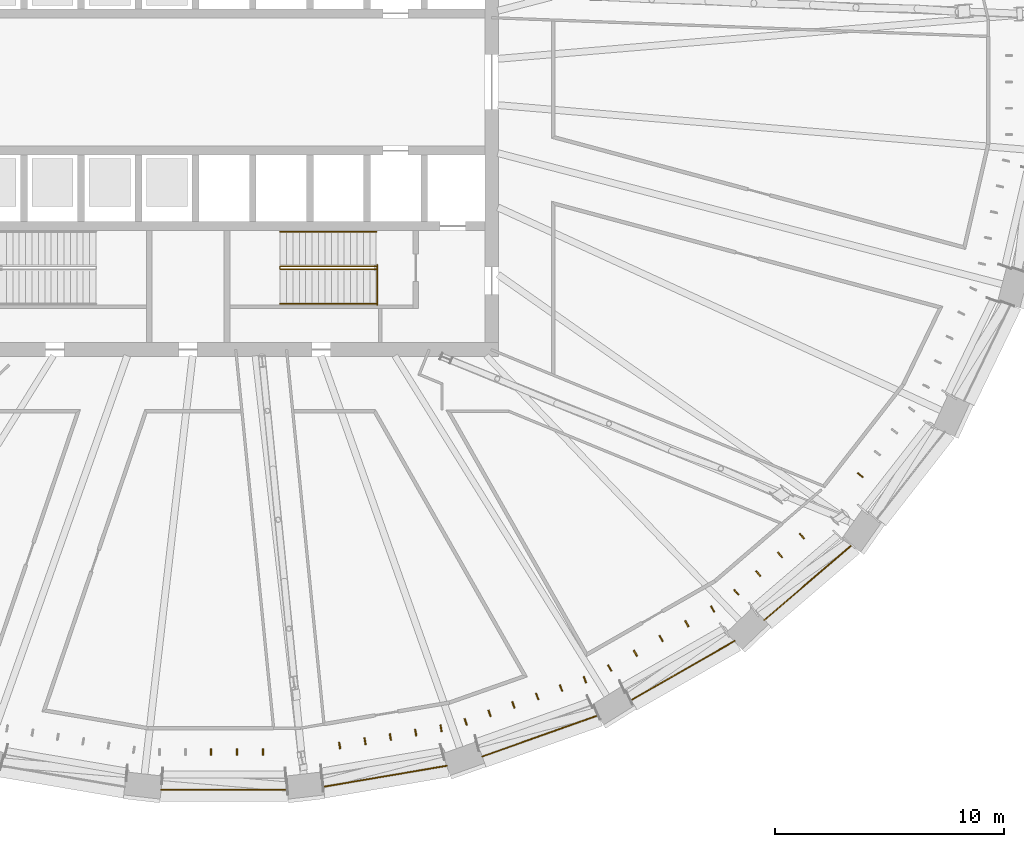
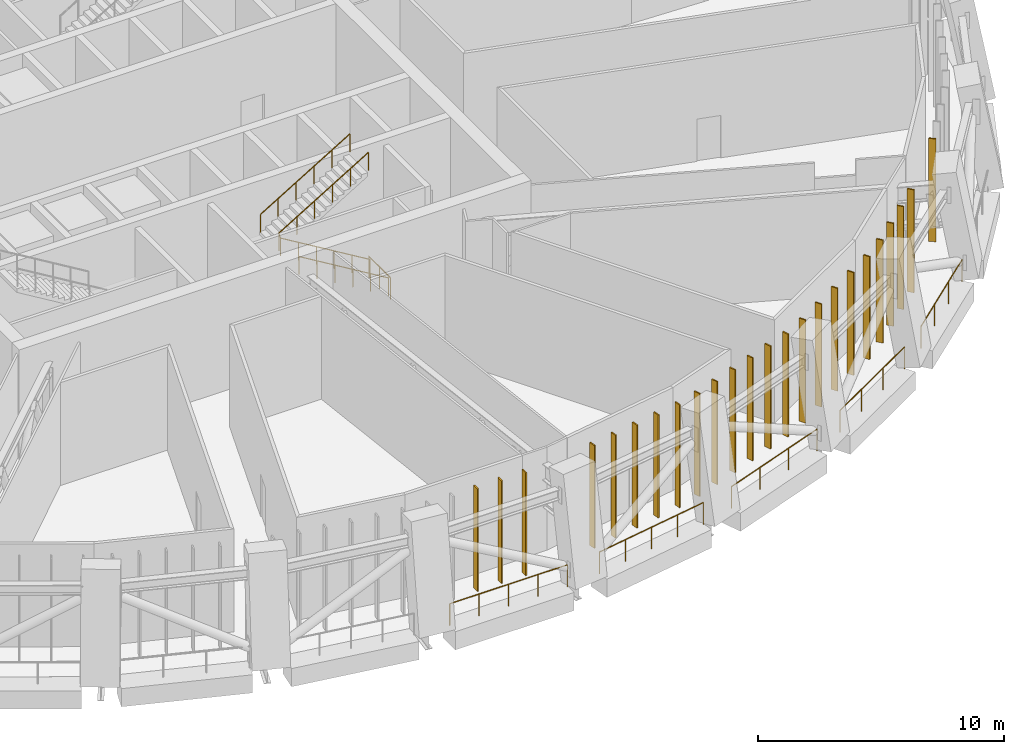
# One storey, part 18 of 22: 24 shading devices, 9 railings.
"""IFC4 building model written with IfcOpenShell, lengths in metres."""

import ifcopenshell
import ifcopenshell.guid

model = None  # the IFC model being written
_history = None  # IfcOwnerHistory: only IFC2X3 demands one
_inside = {}  # id of a spatial element -> (the spatial element, [elements in it])
_under = {}  # id of a project, library or spatial element -> (it, [spatial elements below it])
_declared = {}  # id of a project -> (the project, [libraries it declares])
_typed = {}  # id of a type object -> (the type object, [elements of that type])
_made_of = {}  # id of a material, layer set ... -> (it, [elements and type objects made of it])


def new_model(schema):
    """Start an empty IFC model of exactly this schema.

    Asked for "IFC4X3", IfcOpenShell would pick the latest addendum, in which some entities
    have other attributes; the version numbers below select the first issue.
    IFC2X3 requires an IfcOwnerHistory on every rooted entity: one is made here for all.
    """
    global model, _history
    if schema == "IFC4X3":
        model = ifcopenshell.file(schema_version=(4, 3, 0, 0))
    else:
        model = ifcopenshell.file(schema=schema)
    _inside.clear()
    _under.clear()
    _declared.clear()
    _typed.clear()
    _made_of.clear()
    _history = None
    if model.schema == "IFC2X3":
        org = make("IfcOrganization", Name="unknown")
        user = make(
            "IfcPersonAndOrganization",
            ThePerson=make("IfcPerson", FamilyName="unknown"),
            TheOrganization=org,
        )
        app = make(
            "IfcApplication",
            ApplicationDeveloper=org,
            Version="unknown",
            ApplicationFullName="unknown",
            ApplicationIdentifier="unknown",
        )
        _history = make(
            "IfcOwnerHistory",
            OwningUser=user,
            OwningApplication=app,
            ChangeAction="ADDED",
            CreationDate=0,
        )
    return model


def make(cls, **values):
    """One entity of the class cls with the attributes given. An attribute that is None is left unset."""
    return model.create_entity(
        cls, **{name: value for name, value in values.items() if value is not None}
    )


def rooted(cls, **values):
    """An entity with a GlobalId (a new one), such as an element, a storey or a relation."""
    return make(cls, GlobalId=ifcopenshell.guid.new(), OwnerHistory=_history, **values)


def si_unit(unit_type, name, prefix=None):
    """IfcSIUnit, for example si_unit("LENGTHUNIT", "METRE", prefix="MILLI")."""
    return make("IfcSIUnit", UnitType=unit_type, Prefix=prefix, Name=name)


def assignment(units):
    """IfcUnitAssignment: the units of a project."""
    return None if units is None else make("IfcUnitAssignment", Units=units)


def point(xyz):
    """IfcCartesianPoint."""
    return None if xyz is None else make("IfcCartesianPoint", Coordinates=xyz)


def direction(xyz):
    """IfcDirection."""
    return None if xyz is None else make("IfcDirection", DirectionRatios=xyz)


def frame(location, z_axis=None, x_axis=None):
    """IfcAxis2Placement3D, a coordinate frame: its origin and axes. An axis left out is left unset."""
    return make(
        "IfcAxis2Placement3D",
        Location=point(location),
        Axis=direction(z_axis),
        RefDirection=direction(x_axis),
    )


def frame_2d(location, x_axis=None):
    """IfcAxis2Placement2D, a coordinate frame in the plane: its origin and x axis."""
    return make(
        "IfcAxis2Placement2D", Location=point(location), RefDirection=direction(x_axis)
    )


def origin():
    """The frame at (0, 0, 0) with its axes left unset."""
    return frame((0.0, 0.0, 0.0))


def origin_2d():
    """The frame at (0, 0) in the plane with its x axis left unset."""
    return frame_2d((0.0, 0.0))


def place(relative_to, where):
    """IfcLocalPlacement: puts the frame where relative to a parent placement (None: the world)."""
    return make(
        "IfcLocalPlacement", PlacementRelTo=relative_to, RelativePlacement=where
    )


def context(
    kind, dimensions, precision=None, world=None, true_north=None, identifier=None
):
    """IfcGeometricRepresentationContext, for example the 3D "Model" context."""
    return make(
        "IfcGeometricRepresentationContext",
        ContextIdentifier=identifier,
        ContextType=kind,
        CoordinateSpaceDimension=dimensions,
        Precision=precision,
        WorldCoordinateSystem=world,
        TrueNorth=true_north,
    )


def subcontext(parent, identifier, kind, view, scale=None):
    """IfcGeometricRepresentationSubContext, for example "Body" below "Model"."""
    return make(
        "IfcGeometricRepresentationSubContext",
        ContextIdentifier=identifier,
        ContextType=kind,
        ParentContext=parent,
        TargetScale=scale,
        TargetView=view,
    )


def project(units=None, contexts=None):
    """IfcProject with its units and contexts."""
    return rooted(
        "IfcProject",
        Name="project",
        RepresentationContexts=contexts,
        UnitsInContext=assignment(units),
    )


def spatial(cls, under=None, at=None, **own):
    """A site, building, storey or space (cls), placed at a placement, below another one or the project."""
    s = rooted(cls, ObjectPlacement=at, **own)
    if under is not None:
        _under.setdefault(under.id(), (under, []))[1].append(s)
    return s


def profile(cls, at=None, kind="AREA", **sizes):
    """A parametric profile (cls). Its sizes go by their IFC names, for example OverallWidth=200.0."""
    return make(cls, ProfileType=kind, Position=at, **sizes)


def rectangle(**sizes):
    """IfcRectangleProfileDef."""
    return profile("IfcRectangleProfileDef", **sizes)


def circle(**sizes):
    """IfcCircleProfileDef."""
    return profile("IfcCircleProfileDef", **sizes)


def extrude(swept, where, along, depth):
    """IfcExtrudedAreaSolid: the profile swept, set in the frame where, extruded along a direction by depth."""
    return make(
        "IfcExtrudedAreaSolid",
        SweptArea=swept,
        Position=where,
        ExtrudedDirection=direction(along),
        Depth=depth,
    )


def shape(context_of_items, identifier, shape_type, items):
    """IfcShapeRepresentation: the items that make up one representation, for example the "Body"."""
    return make(
        "IfcShapeRepresentation",
        ContextOfItems=context_of_items,
        RepresentationIdentifier=identifier,
        RepresentationType=shape_type,
        Items=items,
    )


def material(Name=None, Category=None):
    """IfcMaterial."""
    return make("IfcMaterial", Name=Name, Category=Category)


def material_profile(
    of_material, cross_section, Name=None, Category=None, Priority=None
):
    """IfcMaterialProfile: a cross section and its material."""
    return make(
        "IfcMaterialProfile",
        Name=Name,
        Material=of_material,
        Profile=cross_section,
        Priority=Priority,
        Category=Category,
    )


def profile_set(profiles, Name=None, composite=None):
    """IfcMaterialProfileSet."""
    return make(
        "IfcMaterialProfileSet",
        Name=Name,
        MaterialProfiles=profiles,
        CompositeProfile=composite,
    )


def made_of(thing, what):
    """Note that an element or type object is made of a material, layer set ...; save() writes the relation."""
    if what is not None:
        _made_of.setdefault(what.id(), (what, []))[1].append(thing)
    return thing


def type_object(cls, material=None, **own):
    """A type object (cls), such as IfcWallType, which elements share."""
    return made_of(rooted(cls, **own), material)


def element(
    cls,
    number,
    at=None,
    inside=None,
    cuts=None,
    type_object=None,
    material=None,
    context=None,
    identifier="Body",
    shape_type=None,
    held_by="IfcProductDefinitionShape",
    body=None,
    shapes=None,
    **own,
):
    """One element of the class cls, such as IfcWall. Its Tag is "e" and its number.

    at: its placement. inside: the storey or other place that contains it. cuts: it is an
    opening in that element (IfcRelVoidsElement). A single representation is given by context,
    identifier, shape_type and body (its items); several are given by shapes. held_by: the class
    of the entity that holds the representations. save() writes the other relations.
    """
    e = rooted(cls, Tag="e%d" % number, ObjectPlacement=at, **own)
    if body is not None:
        shapes = [shape(context, identifier, shape_type, body)]
    if shapes is not None:
        e.Representation = make(held_by, Representations=shapes)
    if inside is not None:
        _inside.setdefault(inside.id(), (inside, []))[1].append(e)
    if cuts is not None:
        rooted(
            "IfcRelVoidsElement", RelatingBuildingElement=cuts, RelatedOpeningElement=e
        )
    if type_object is not None:
        _typed.setdefault(type_object.id(), (type_object, []))[1].append(e)
    return made_of(e, material)


def aggregate(whole, parts):
    """IfcRelAggregates: a whole, such as a stair, and the parts it consists of."""
    return rooted("IfcRelAggregates", RelatingObject=whole, RelatedObjects=parts)


def save(model, path):
    """Write the relations noted so far, then the file.

    IfcRelAggregates (storeys below a building ...), IfcRelContainedInSpatialStructure (elements
    in a storey), IfcRelDefinesByType, IfcRelAssociatesMaterial and IfcRelDeclares: one each for
    every whole, place, type object, material and project.
    """
    for whole, parts in _under.values():
        aggregate(whole, parts)
    for where, things in _inside.values():
        rooted(
            "IfcRelContainedInSpatialStructure",
            RelatedElements=things,
            RelatingStructure=where,
        )
    for kind, things in _typed.values():
        rooted("IfcRelDefinesByType", RelatedObjects=things, RelatingType=kind)
    for what, things in _made_of.values():
        rooted("IfcRelAssociatesMaterial", RelatedObjects=things, RelatingMaterial=what)
    for by, libraries in _declared.values():
        rooted("IfcRelDeclares", RelatingContext=by, RelatedDefinitions=libraries)
    model.write(path)


model = new_model("IFC4")

# Units and contexts
model_context = context("Model", 3, precision=1e-05, world=origin(), true_north=direction((0.0, 1.0)))
body_context = subcontext(model_context, "Body", "Model", "MODEL_VIEW")
ifc_project = project(units=[si_unit("LENGTHUNIT", "METRE"), si_unit("AREAUNIT", "SQUARE_METRE"), si_unit("VOLUMEUNIT", "CUBIC_METRE"), si_unit("PLANEANGLEUNIT", "RADIAN"), si_unit("MASSUNIT", "GRAM", prefix="KILO")], contexts=[model_context])

# Site, building, storey
site_placement = place(None, origin())
site = spatial("IfcSite", under=ifc_project, at=site_placement, CompositionType="ELEMENT")
building_placement = place(site_placement, origin())
building = spatial("IfcBuilding", under=site, at=building_placement, Name="Halqa Exchange Tower", CompositionType="ELEMENT")
storey_placement = place(building_placement, frame((0.0, 0.0, 99.10009765625)))
storey = spatial("IfcBuildingStorey", under=building, at=storey_placement, Name="L22", CompositionType="ELEMENT", Elevation=99.10009765625)

# Shading devices
ifc_material_1 = material(Name="Anodised aluminium", Category="aluminium")
ifc_material_profile = material_profile(ifc_material_1, rectangle(XDim=0.300048828125, YDim=0.06005859375, at=origin_2d()), Name="AL FIN 300x60")
ifc_profile_set = profile_set([ifc_material_profile], Name="Anodised aluminium")
shading_device_type = type_object("IfcShadingDeviceType", Name="Aluminium louvre FIN 300 x 60", PredefinedType="USERDEFINED", material=ifc_profile_set)
for number, where, z_axis, x_axis, name in (
    (1, (-0.565185546875, -29.302490234375, 0.0), (0.0, 0.0, 1.0), (0.0, 1.0, 0.0), "Louvre FIN 24.3"),
    (2, (0.565185546875, -29.302490234375, 0.0), (0.0, 0.0, 1.0), (0.0, 1.0, 0.0), "Louvre FIN 24.4"),
    (3, (1.695556640625, -29.302490234375, 0.0), (0.0, 0.0, 1.0), (0.0, 1.0, 0.0), "Louvre FIN 24.5"),
    (4, (5.0537109375, -29.018798828125, 0.0), (0.0, 0.0, 1.0), (-0.168067871785, 0.985775425984, 0.0), "Louvre FIN 25.2"),
    (5, (6.162109375, -28.830078125, 0.0), (0.0, 0.0, 1.0), (-0.168067871785, 0.985775425984, 0.0), "Louvre FIN 25.3"),
    (6, (7.2705078125, -28.64111328125, 0.0), (0.0, 0.0, 1.0), (-0.168067871785, 0.985775425984, 0.0), "Louvre FIN 25.4"),
    (7, (8.37890625, -28.451904296875, 0.0), (0.0, 0.0, 1.0), (-0.168067871785, 0.985775425984, 0.0), "Louvre FIN 25.5"),
    (8, (9.4873046875, -28.26318359375, 0.0), (0.0, 0.0, 1.0), (-0.168067871785, 0.985775425984, 0.0), "Louvre FIN 25.6"),
    (9, (10.56298828125, -27.9833984375, 0.0), (0.0, 0.0, 1.0), (-0.334578355387, 0.94236793457, 0.0), "Louvre FIN 26.1"),
    (10, (11.606201171875, -27.613037109375, 0.0), (0.0, 0.0, 1.0), (-0.334578355387, 0.94236793457, 0.0), "Louvre FIN 26.2"),
    (11, (12.649169921875, -27.24267578125, 0.0), (0.0, 0.0, 1.0), (-0.334578355387, 0.94236793457, 0.0), "Louvre FIN 26.3"),
    (12, (13.6923828125, -26.872314453125, 0.0), (0.0, 0.0, 1.0), (-0.334578355387, 0.94236793457, 0.0), "Louvre FIN 26.4"),
    (13, (14.7353515625, -26.501953125, 0.0), (0.0, 0.0, 1.0), (-0.334578355387, 0.94236793457, 0.0), "Louvre FIN 26.5"),
    (14, (15.778564453125, -26.131591796875, 0.0), (0.0, 0.0, 1.0), (-0.334578355387, 0.94236793457, 0.0), "Louvre FIN 26.6"),
    (15, (16.862548828125, -25.62451171875, 0.0), (0.0, 0.0, 1.0), (-0.496984562745, 0.867759381622, 0.0), "Louvre FIN 27.1"),
    (16, (17.9873046875, -24.980224609375, 0.0), (0.0, 0.0, 1.0), (-0.496984562745, 0.867759381622, 0.0), "Louvre FIN 27.2"),
    (17, (19.112060546875, -24.3359375, 0.0), (0.0, 0.0, 1.0), (-0.496984562745, 0.867759381622, 0.0), "Louvre FIN 27.3"),
    (18, (20.237060546875, -23.69189453125, 0.0), (0.0, 0.0, 1.0), (-0.496984562745, 0.867759381622, 0.0), "Louvre FIN 27.4"),
    (19, (21.36181640625, -23.047607421875, 0.0), (0.0, 0.0, 1.0), (-0.496984562745, 0.867759381622, 0.0), "Louvre FIN 27.5"),
    (20, (22.401611328125, -22.31640625, 0.0), (0.0, 0.0, 1.0), (-0.65078481863, 0.759262220739, 0.0), "Louvre FIN 28.1"),
    (21, (23.356201171875, -21.498046875, 0.0), (0.0, 0.0, 1.0), (-0.65078481863, 0.759262220739, 0.0), "Louvre FIN 28.2"),
    (22, (24.310791015625, -20.6796875, 0.0), (0.0, 0.0, 1.0), (-0.65078481863, 0.759262220739, 0.0), "Louvre FIN 28.3"),
    (23, (25.265625, -19.861572265625, 0.0), (0.0, 0.0, 1.0), (-0.65078481863, 0.759262220739, 0.0), "Louvre FIN 28.4"),
    (24, (27.820068359375, -17.194091796875, 0.0), (0.0, 0.0, 1.0), (-0.788675428901, 0.614809781841, 0.0), "Louvre FIN 29.2"),
):
    element("IfcShadingDevice", number, at=place(storey_placement, frame(where, z_axis=z_axis, x_axis=x_axis)), inside=storey, type_object=shading_device_type, Name=name, ObjectType="FIN", PredefinedType="USERDEFINED", context=body_context, shape_type="SweptSolid", body=[
        extrude(rectangle(XDim=0.300048828125, YDim=0.06005859375, at=origin_2d()), origin(), (0.0, 0.0, 1.0), 5.099853515625),
    ])

# Railings
ifc_material_2 = material(Name="Stainless steel", Category="steel")
railing_type_1 = type_object("IfcRailingType", Name="Guard 1100 stainless steel", PredefinedType="GUARDRAIL", material=ifc_material_2)
railing_1_placement = place(storey_placement, frame((-2.757080078125, -30.95556640625, 0.0)))
element("IfcRailing", 25, at=railing_1_placement, inside=storey, type_object=railing_type_1, Name="Band edge guard 24", PredefinedType="GUARDRAIL", context=body_context, shape_type="SweptSolid", body=[
    extrude(circle(Radius=0.02392578125, at=origin_2d()), frame((0.0, 0.0, 1.076171875), z_axis=(1.0, 0.0, 0.0), x_axis=(0.0, 1.0, 0.0)), (0.0, 0.0, 1.0), 5.51416015625),
    extrude(circle(Radius=0.02099609375, at=origin_2d()), origin(), (0.0, 0.0, 1.0), 1.052001953125),
    extrude(circle(Radius=0.02099609375, at=origin_2d()), frame((1.37841796875, 0.0, 0.0)), (0.0, 0.0, 1.0), 1.052001953125),
    extrude(circle(Radius=0.02099609375, at=origin_2d()), frame((2.757080078125, 0.0, 0.0)), (0.0, 0.0, 1.0), 1.052001953125),
    extrude(circle(Radius=0.02099609375, at=origin_2d()), frame((4.1357421875, 0.0, 0.0)), (0.0, 0.0, 1.0), 1.052001953125),
    extrude(circle(Radius=0.02099609375, at=origin_2d()), frame((5.51416015625, 0.0, 0.0)), (0.0, 0.0, 1.0), 1.052001953125),
])
railing_2_placement = place(storey_placement, frame((4.345703125, -30.821044921875, 0.0)))
element("IfcRailing", 26, at=railing_2_placement, inside=storey, type_object=railing_type_1, Name="Band edge guard 25", PredefinedType="GUARDRAIL", context=body_context, shape_type="SweptSolid", body=[
    extrude(circle(Radius=0.02392578125, at=origin_2d()), frame((0.0, 0.0, 1.076171875), z_axis=(0.985775171727, 0.168069363079, 0.0), x_axis=(-0.168069363079, 0.985775171727, 0.0)), (0.0, 0.0, 1.0), 5.477783203125),
    extrude(circle(Radius=0.02099609375, at=origin_2d()), origin(), (0.0, 0.0, 1.0), 1.052001953125),
    extrude(circle(Radius=0.02099609375, at=origin_2d()), frame((1.35009765625, 0.230224609375, 0.0)), (0.0, 0.0, 1.0), 1.052001953125),
    extrude(circle(Radius=0.02099609375, at=origin_2d()), frame((2.699951171875, 0.46044921875, 0.0)), (0.0, 0.0, 1.0), 1.052001953125),
    extrude(circle(Radius=0.02099609375, at=origin_2d()), frame((4.0498046875, 0.6904296875, 0.0)), (0.0, 0.0, 1.0), 1.052001953125),
    extrude(circle(Radius=0.02099609375, at=origin_2d()), frame((5.39990234375, 0.920654296875, 0.0)), (0.0, 0.0, 1.0), 1.052001953125),
])
railing_3_placement = place(storey_placement, frame((11.2880859375, -29.498291015625, 0.0)))
element("IfcRailing", 27, at=railing_3_placement, inside=storey, type_object=railing_type_1, Name="Band edge guard 26", PredefinedType="GUARDRAIL", context=body_context, shape_type="SweptSolid", body=[
    extrude(circle(Radius=0.02392578125, at=origin_2d()), frame((0.0, 0.0, 1.076171875), z_axis=(0.942363076556, 0.334592038075, 0.0), x_axis=(-0.334592038075, 0.942363076556, 0.0)), (0.0, 0.0, 1.0), 5.374755859375),
    extrude(circle(Radius=0.02099609375, at=origin_2d()), origin(), (0.0, 0.0, 1.0), 1.052001953125),
    extrude(circle(Radius=0.02099609375, at=origin_2d()), frame((1.688232421875, 0.599365234375, 0.0)), (0.0, 0.0, 1.0), 1.052001953125),
    extrude(circle(Radius=0.02099609375, at=origin_2d()), frame((3.376708984375, 1.198974609375, 0.0)), (0.0, 0.0, 1.0), 1.052001953125),
    extrude(circle(Radius=0.02099609375, at=origin_2d()), frame((5.06494140625, 1.79833984375, 0.0)), (0.0, 0.0, 1.0), 1.052001953125),
])
railing_4_placement = place(storey_placement, frame((17.801025390625, -27.034912109375, 0.0)))
element("IfcRailing", 28, at=railing_4_placement, inside=storey, type_object=railing_type_1, Name="Band edge guard 27", PredefinedType="GUARDRAIL", context=body_context, shape_type="SweptSolid", body=[
    extrude(circle(Radius=0.02392578125, at=origin_2d()), frame((0.0, 0.0, 1.076171875), z_axis=(0.867755983437, 0.496990496096, 0.0), x_axis=(-0.496990496096, 0.867755983437, 0.0)), (0.0, 0.0, 1.0), 5.216552734375),
    extrude(circle(Radius=0.02099609375, at=origin_2d()), origin(), (0.0, 0.0, 1.0), 1.052001953125),
    extrude(circle(Radius=0.02099609375, at=origin_2d()), frame((1.5087890625, 0.8642578125, 0.0)), (0.0, 0.0, 1.0), 1.052001953125),
    extrude(circle(Radius=0.02099609375, at=origin_2d()), frame((3.017822265625, 1.728271484375, 0.0)), (0.0, 0.0, 1.0), 1.052001953125),
    extrude(circle(Radius=0.02099609375, at=origin_2d()), frame((4.526611328125, 2.592529296875, 0.0)), (0.0, 0.0, 1.0), 1.052001953125),
])
railing_5_placement = place(storey_placement, frame((23.629150390625, -23.524169921875, 0.0)))
element("IfcRailing", 29, at=railing_5_placement, inside=storey, type_object=railing_type_1, Name="Band edge guard 28", PredefinedType="GUARDRAIL", context=body_context, shape_type="SweptSolid", body=[
    extrude(circle(Radius=0.02392578125, at=origin_2d()), frame((0.0, 0.0, 1.076171875), z_axis=(0.759263460736, 0.650783371938, 0.0), x_axis=(-0.650783371938, 0.759263460736, 0.0)), (0.0, 0.0, 1.0), 5.025390625),
    extrude(circle(Radius=0.02099609375, at=origin_2d()), origin(), (0.0, 0.0, 1.0), 1.052001953125),
    extrude(circle(Radius=0.02099609375, at=origin_2d()), frame((1.27197265625, 1.090087890625, 0.0)), (0.0, 0.0, 1.0), 1.052001953125),
    extrude(circle(Radius=0.02099609375, at=origin_2d()), frame((2.543701171875, 2.180419921875, 0.0)), (0.0, 0.0, 1.0), 1.052001953125),
    extrude(circle(Radius=0.02099609375, at=origin_2d()), frame((3.815673828125, 3.2705078125, 0.0)), (0.0, 0.0, 1.0), 1.052001953125),
])
railing_type_2 = type_object("IfcRailingType", Name="Stair handrail 900", PredefinedType="HANDRAIL", material=ifc_material_2)
railing_6_placement = place(storey_placement, frame((6.64990234375, -8.18994140625, 0.168701171875)))
element("IfcRailing", 30, at=railing_6_placement, inside=storey, type_object=railing_type_2, Name="Handrail ST4.1", PredefinedType="HANDRAIL", context=body_context, shape_type="SweptSolid", body=[
    extrude(circle(Radius=0.02392578125, at=origin_2d()), frame((0.0, 0.0, 0.8759765625), z_axis=(-0.856476492594, 0.0, 0.516186030065), x_axis=(0.0, -1.0, 0.0)), (0.0, 0.0, 1.0), 4.90380859375),
    extrude(circle(Radius=0.02392578125, at=origin_2d()), frame((-4.199951171875, 0.0, 3.4072265625), z_axis=(0.0, 0.610043206925, 0.792368150348), x_axis=(-1.0, 0.0, 0.0)), (0.0, 0.0, 1.0), 0.212890625),
    extrude(circle(Radius=0.02392578125, at=origin_2d()), frame((-4.199951171875, 0.1298828125, 3.57568359375), z_axis=(0.856476492594, 0.0, 0.516186030065), x_axis=(0.0, 1.0, 0.0)), (0.0, 0.0, 1.0), 4.90380859375),
    extrude(circle(Radius=0.02099609375, at=origin_2d()), origin(), (0.0, 0.0, 1.0), 0.851806640625),
    extrude(circle(Radius=0.02099609375, at=origin_2d()), frame((-0.840087890625, 0.0, 0.50634765625)), (0.0, 0.0, 1.0), 0.851806640625),
    extrude(circle(Radius=0.02099609375, at=origin_2d()), frame((-1.679931640625, 0.0, 1.012451171875)), (0.0, 0.0, 1.0), 0.851806640625),
    extrude(circle(Radius=0.02099609375, at=origin_2d()), frame((-2.52001953125, 0.0, 1.518798828125)), (0.0, 0.0, 1.0), 0.851806640625),
    extrude(circle(Radius=0.02099609375, at=origin_2d()), frame((-3.35986328125, 0.0, 2.02490234375)), (0.0, 0.0, 1.0), 0.851806640625),
    extrude(circle(Radius=0.02099609375, at=origin_2d()), frame((-4.199951171875, 0.0, 2.53125)), (0.0, 0.0, 1.0), 0.851806640625),
    extrude(circle(Radius=0.02099609375, at=origin_2d()), frame((-4.199951171875, 0.1298828125, 2.699951171875)), (0.0, 0.0, 1.0), 0.851806640625),
    extrude(circle(Radius=0.02099609375, at=origin_2d()), frame((-3.35986328125, 0.1298828125, 3.206298828125)), (0.0, 0.0, 1.0), 0.851806640625),
    extrude(circle(Radius=0.02099609375, at=origin_2d()), frame((-2.52001953125, 0.1298828125, 3.71240234375)), (0.0, 0.0, 1.0), 0.851806640625),
    extrude(circle(Radius=0.02099609375, at=origin_2d()), frame((-1.679931640625, 0.1298828125, 4.21875)), (0.0, 0.0, 1.0), 0.851806640625),
    extrude(circle(Radius=0.02099609375, at=origin_2d()), frame((-0.840087890625, 0.1298828125, 4.724853515625)), (0.0, 0.0, 1.0), 0.851806640625),
    extrude(circle(Radius=0.02099609375, at=origin_2d()), frame((0.0, 0.1298828125, 5.231201171875)), (0.0, 0.0, 1.0), 0.851806640625),
])
railing_7_placement = place(storey_placement, frame((6.64990234375, -9.699951171875, 0.168701171875)))
element("IfcRailing", 31, at=railing_7_placement, inside=storey, type_object=railing_type_2, Name="Handrail ST4.2", PredefinedType="HANDRAIL", context=body_context, shape_type="SweptSolid", body=[
    extrude(circle(Radius=0.02392578125, at=origin_2d()), frame((0.0, 0.0, 0.8759765625), z_axis=(-0.856476492594, 0.0, 0.516186030065), x_axis=(0.0, -1.0, 0.0)), (0.0, 0.0, 1.0), 4.90380859375),
    extrude(circle(Radius=0.02099609375, at=origin_2d()), origin(), (0.0, 0.0, 1.0), 0.851806640625),
    extrude(circle(Radius=0.02099609375, at=origin_2d()), frame((-0.840087890625, 0.0, 0.50634765625)), (0.0, 0.0, 1.0), 0.851806640625),
    extrude(circle(Radius=0.02099609375, at=origin_2d()), frame((-1.679931640625, 0.0, 1.012451171875)), (0.0, 0.0, 1.0), 0.851806640625),
    extrude(circle(Radius=0.02099609375, at=origin_2d()), frame((-2.52001953125, 0.0, 1.518798828125)), (0.0, 0.0, 1.0), 0.851806640625),
    extrude(circle(Radius=0.02099609375, at=origin_2d()), frame((-3.35986328125, 0.0, 2.02490234375)), (0.0, 0.0, 1.0), 0.851806640625),
    extrude(circle(Radius=0.02099609375, at=origin_2d()), frame((-4.199951171875, 0.0, 2.53125)), (0.0, 0.0, 1.0), 0.851806640625),
])
railing_8_placement = place(storey_placement, frame((2.449951171875, -6.550048828125, 2.86865234375)))
element("IfcRailing", 32, at=railing_8_placement, inside=storey, type_object=railing_type_2, Name="Handrail ST4.3", PredefinedType="HANDRAIL", context=body_context, shape_type="SweptSolid", body=[
    extrude(circle(Radius=0.02392578125, at=origin_2d()), frame((0.0, 0.0, 0.8759765625), z_axis=(0.856476492594, 0.0, 0.516186030065), x_axis=(0.0, 1.0, 0.0)), (0.0, 0.0, 1.0), 4.90380859375),
    extrude(circle(Radius=0.02099609375, at=origin_2d()), origin(), (0.0, 0.0, 1.0), 0.851806640625),
    extrude(circle(Radius=0.02099609375, at=origin_2d()), frame((0.840087890625, 0.0, 0.50634765625)), (0.0, 0.0, 1.0), 0.851806640625),
    extrude(circle(Radius=0.02099609375, at=origin_2d()), frame((1.679931640625, 0.0, 1.012451171875)), (0.0, 0.0, 1.0), 0.851806640625),
    extrude(circle(Radius=0.02099609375, at=origin_2d()), frame((2.52001953125, 0.0, 1.518798828125)), (0.0, 0.0, 1.0), 0.851806640625),
    extrude(circle(Radius=0.02099609375, at=origin_2d()), frame((3.35986328125, 0.0, 2.02490234375)), (0.0, 0.0, 1.0), 0.851806640625),
    extrude(circle(Radius=0.02099609375, at=origin_2d()), frame((4.199951171875, 0.0, 2.53125)), (0.0, 0.0, 1.0), 0.851806640625),
])
railing_type_3 = type_object("IfcRailingType", Name="Stair well guard 1100", PredefinedType="GUARDRAIL", material=ifc_material_2)
railing_9_placement = place(storey_placement, frame((6.699951171875, -9.75, 0.0)))
element("IfcRailing", 33, at=railing_9_placement, inside=storey, type_object=railing_type_3, Name="Guard ST4 well", PredefinedType="GUARDRAIL", context=body_context, shape_type="SweptSolid", body=[
    extrude(circle(Radius=0.02392578125, at=origin_2d()), frame((0.0, 0.0, 1.076171875), z_axis=(0.0, 1.0, 0.0), x_axis=(-1.0, 0.0, 0.0)), (0.0, 0.0, 1.0), 1.75),
    extrude(circle(Radius=0.02099609375, at=origin_2d()), origin(), (0.0, 0.0, 1.0), 1.052001953125),
    extrude(circle(Radius=0.02099609375, at=origin_2d()), frame((0.0, 0.875, 0.0)), (0.0, 0.0, 1.0), 1.052001953125),
    extrude(circle(Radius=0.02099609375, at=origin_2d()), frame((0.0, 1.75, 0.0)), (0.0, 0.0, 1.0), 1.052001953125),
])

save(model, "model.ifc")
